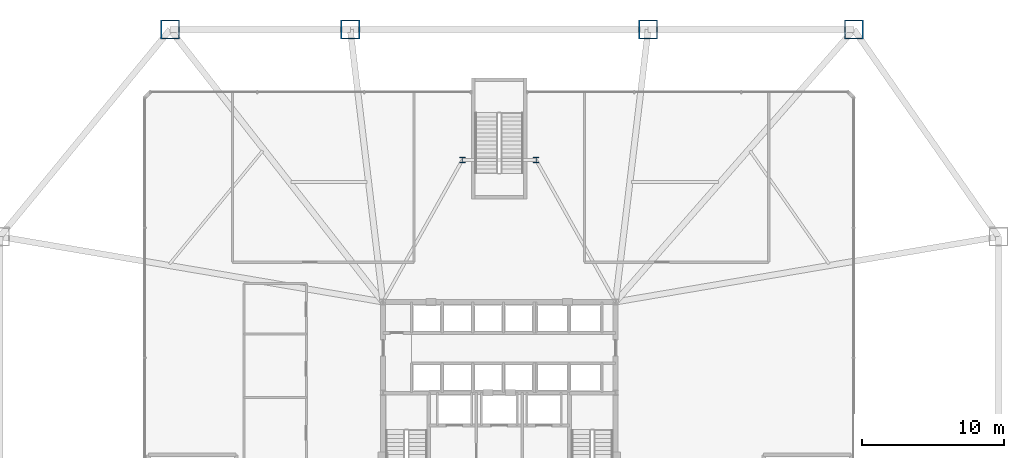
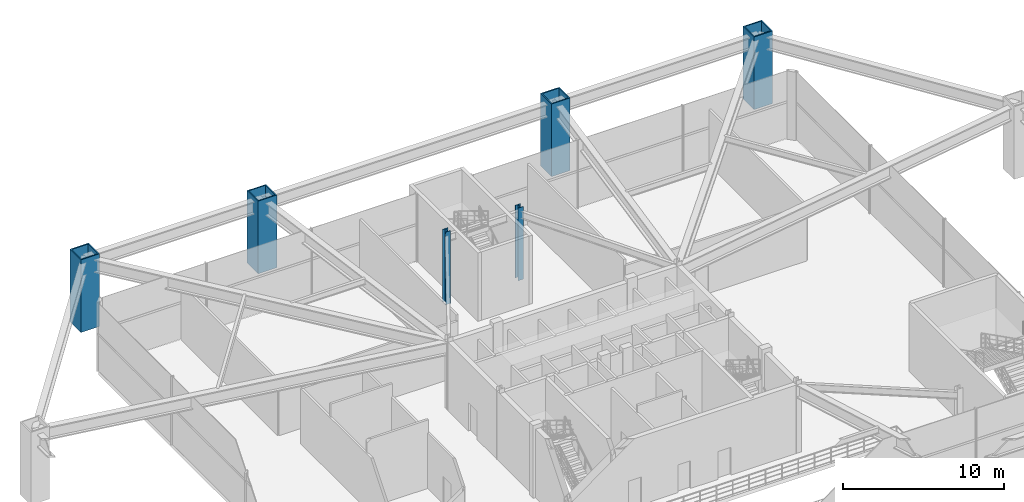
# One storey, part 3 of 18: 6 columns.
"""IFC4 building model written with IfcOpenShell, lengths in metres."""

from ifc_helpers import new_model, si_unit, direction, frame, origin, origin_2d, place, context, subcontext, project, spatial, hollow_rectangle, i_section, extrude, material, material_profile, profile_set, type_object, element, save


model = new_model("IFC4")

# Units and contexts
model_context = context("Model", 3, precision=1e-05, world=origin(), true_north=direction((0.0, 1.0)))
body_context = subcontext(model_context, "Body", "Model", "MODEL_VIEW")
ifc_project = project(units=[si_unit("LENGTHUNIT", "METRE"), si_unit("AREAUNIT", "SQUARE_METRE"), si_unit("VOLUMEUNIT", "CUBIC_METRE"), si_unit("PLANEANGLEUNIT", "RADIAN"), si_unit("MASSUNIT", "GRAM", prefix="KILO")], contexts=[model_context])

# Site, building, storey
site_placement = place(None, origin())
site = spatial("IfcSite", under=ifc_project, at=site_placement, CompositionType="ELEMENT")
building_placement = place(site_placement, origin())
building = spatial("IfcBuilding", under=site, at=building_placement, Name="Varakhsha Concourse Tower", CompositionType="ELEMENT")
storey_placement = place(building_placement, frame((0.0, 0.0, 5.5)))
storey = spatial("IfcBuildingStorey", under=building, at=storey_placement, Name="L02", CompositionType="ELEMENT", Elevation=5.5)

# Columns
ifc_material_1 = material(Name="Structural Steel ASTM A992 Grade 50", Category="steel")
ifc_material_profile_1 = material_profile(ifc_material_1, i_section(OverallWidth=0.3740234375, OverallDepth=0.3720703125, WebThickness=0.01611328125, FlangeThickness=0.02587890625, at=origin_2d()), Name="W14X132")
ifc_profile_set_1 = profile_set([ifc_material_profile_1], Name="Structural Steel ASTM A992 Grade 50")
column_type_1 = type_object("IfcColumnType", Name="CL-CORE-W14X132", PredefinedType="COLUMN", material=ifc_profile_set_1)
for number, where, z_axis, x_axis, name in (
    (1, (37.39990234375, 41.199951171875, 0.0), (0.0, 0.0, 1.0), (1.0, 0.0, 0.0), "L02 Core Column NS-W"),
    (2, (42.60009765625, 41.199951171875, 0.0), (0.0, 0.0, 1.0), (1.0, 0.0, 0.0), "L02 Core Column NS-E"),
):
    element("IfcColumn", number, at=place(storey_placement, frame(where, z_axis=z_axis, x_axis=x_axis)), inside=storey, type_object=column_type_1, Name=name, PredefinedType="COLUMN", context=body_context, shape_type="SweptSolid", body=[
        extrude(i_section(OverallWidth=0.3740234375, OverallDepth=0.3720703125, WebThickness=0.01611328125, FlangeThickness=0.02587890625, at=origin_2d()), origin(), (0.0, 0.0, 1.0), 5.5),
    ])
ifc_material_2 = material(Name="Structural Steel ASTM A572 Grade 50", Category="steel")
ifc_material_profile_2 = material_profile(ifc_material_2, hollow_rectangle(XDim=1.35009765625, YDim=1.35009765625, WallThickness=0.0849609375, at=origin_2d()), Name="BOX 1350x1350x85")
ifc_profile_set_2 = profile_set([ifc_material_profile_2], Name="Structural Steel ASTM A572 Grade 50")
column_type_2 = type_object("IfcColumnType", Name="CL-STILT-1350", PredefinedType="COLUMN", material=ifc_profile_set_2)
for number, where, z_axis, x_axis, name in (
    (3, (16.800048828125, 50.39990234375, 0.0), (0.0, 0.0, 1.0), (1.0, 0.0, 0.0), "L02 Open Perimeter Box Stilt PC-N1"),
    (4, (29.5, 50.39990234375, 0.0), (0.0, 0.0, 1.0), (1.0, 0.0, 0.0), "L02 Open Perimeter Box Stilt PC-N2"),
    (5, (50.5, 50.39990234375, 0.0), (0.0, 0.0, 1.0), (1.0, 0.0, 0.0), "L02 Open Perimeter Box Stilt PC-N3"),
    (6, (65.0, 50.39990234375, 0.0), (0.0, 0.0, 1.0), (1.0, 0.0, 0.0), "L02 Open Perimeter Box Stilt PC-N4"),
):
    element("IfcColumn", number, at=place(storey_placement, frame(where, z_axis=z_axis, x_axis=x_axis)), inside=storey, type_object=column_type_2, Name=name, PredefinedType="COLUMN", context=body_context, shape_type="SweptSolid", body=[
        extrude(hollow_rectangle(XDim=1.35009765625, YDim=1.35009765625, WallThickness=0.0849609375, at=origin_2d()), origin(), (0.0, 0.0, 1.0), 5.5),
    ])

save(model, "model.ifc")
